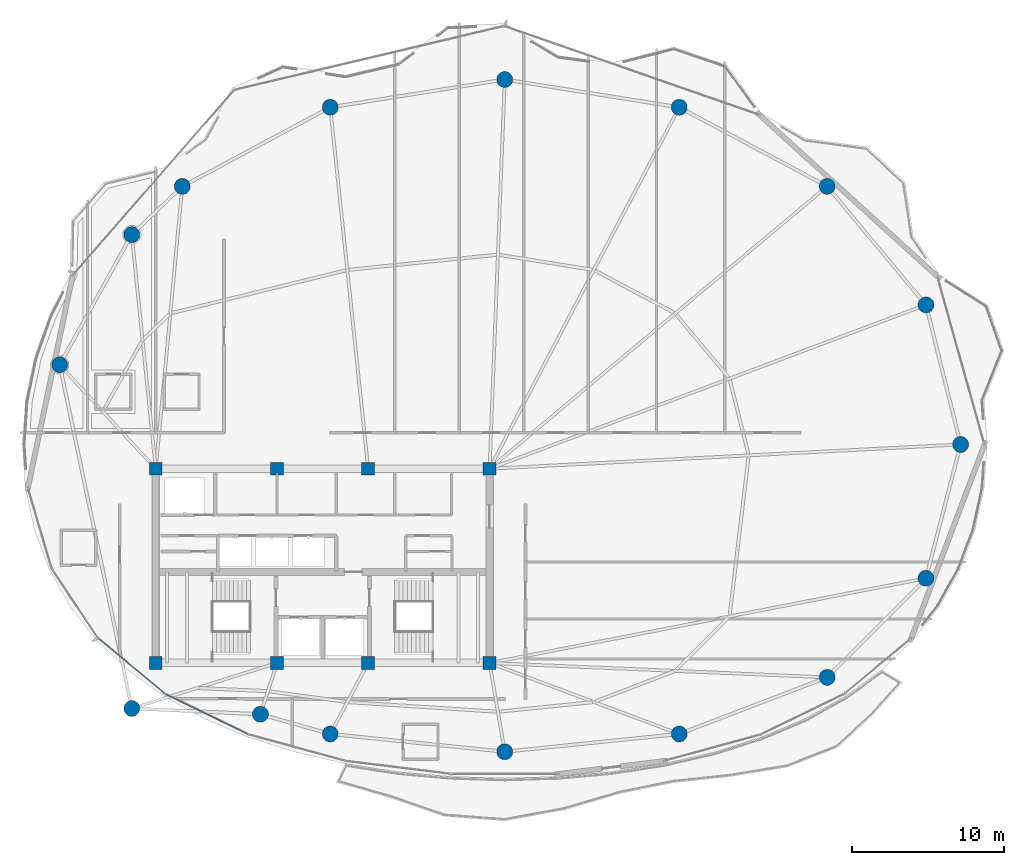
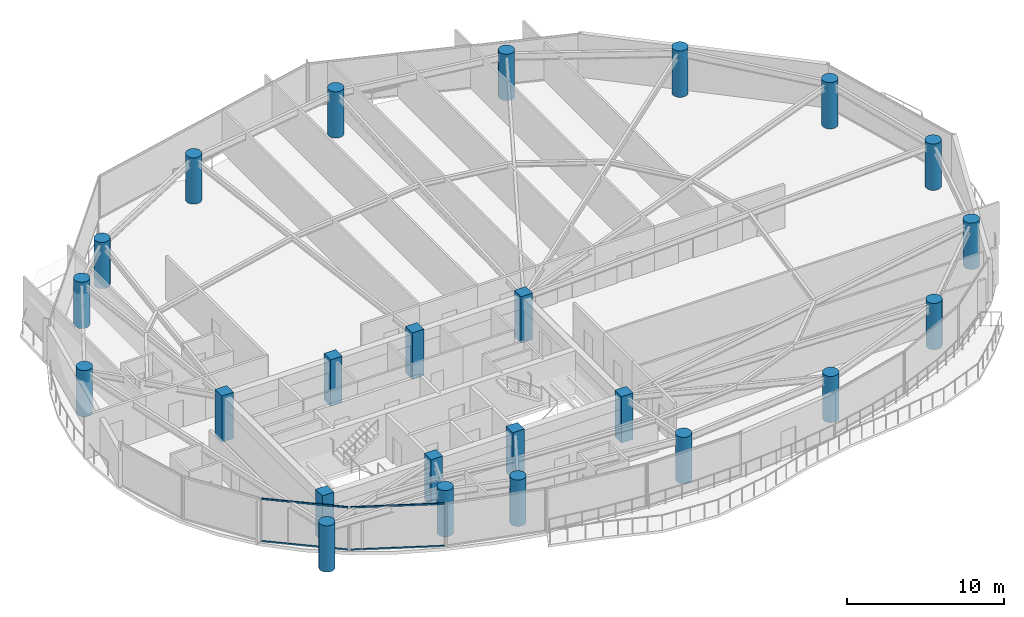
# One storey, part 1 of 29: 24 columns, 4 members, 2 elements without a shape of their own.
"""IFC4 building model written with IfcOpenShell, lengths in metres."""

import ifcopenshell
import ifcopenshell.guid

model = None  # the IFC model being written
_history = None  # IfcOwnerHistory: only IFC2X3 demands one
_inside = {}  # id of a spatial element -> (the spatial element, [elements in it])
_under = {}  # id of a project, library or spatial element -> (it, [spatial elements below it])
_declared = {}  # id of a project -> (the project, [libraries it declares])
_typed = {}  # id of a type object -> (the type object, [elements of that type])
_made_of = {}  # id of a material, layer set ... -> (it, [elements and type objects made of it])


def new_model(schema):
    """Start an empty IFC model of exactly this schema.

    Asked for "IFC4X3", IfcOpenShell would pick the latest addendum, in which some entities
    have other attributes; the version numbers below select the first issue.
    IFC2X3 requires an IfcOwnerHistory on every rooted entity: one is made here for all.
    """
    global model, _history
    if schema == "IFC4X3":
        model = ifcopenshell.file(schema_version=(4, 3, 0, 0))
    else:
        model = ifcopenshell.file(schema=schema)
    _inside.clear()
    _under.clear()
    _declared.clear()
    _typed.clear()
    _made_of.clear()
    _history = None
    if model.schema == "IFC2X3":
        org = make("IfcOrganization", Name="unknown")
        user = make(
            "IfcPersonAndOrganization",
            ThePerson=make("IfcPerson", FamilyName="unknown"),
            TheOrganization=org,
        )
        app = make(
            "IfcApplication",
            ApplicationDeveloper=org,
            Version="unknown",
            ApplicationFullName="unknown",
            ApplicationIdentifier="unknown",
        )
        _history = make(
            "IfcOwnerHistory",
            OwningUser=user,
            OwningApplication=app,
            ChangeAction="ADDED",
            CreationDate=0,
        )
    return model


def make(cls, **values):
    """One entity of the class cls with the attributes given. An attribute that is None is left unset."""
    return model.create_entity(
        cls, **{name: value for name, value in values.items() if value is not None}
    )


def rooted(cls, **values):
    """An entity with a GlobalId (a new one), such as an element, a storey or a relation."""
    return make(cls, GlobalId=ifcopenshell.guid.new(), OwnerHistory=_history, **values)


def si_unit(unit_type, name, prefix=None):
    """IfcSIUnit, for example si_unit("LENGTHUNIT", "METRE", prefix="MILLI")."""
    return make("IfcSIUnit", UnitType=unit_type, Prefix=prefix, Name=name)


def assignment(units):
    """IfcUnitAssignment: the units of a project."""
    return None if units is None else make("IfcUnitAssignment", Units=units)


def point(xyz):
    """IfcCartesianPoint."""
    return None if xyz is None else make("IfcCartesianPoint", Coordinates=xyz)


def direction(xyz):
    """IfcDirection."""
    return None if xyz is None else make("IfcDirection", DirectionRatios=xyz)


def frame(location, z_axis=None, x_axis=None):
    """IfcAxis2Placement3D, a coordinate frame: its origin and axes. An axis left out is left unset."""
    return make(
        "IfcAxis2Placement3D",
        Location=point(location),
        Axis=direction(z_axis),
        RefDirection=direction(x_axis),
    )


def frame_2d(location, x_axis=None):
    """IfcAxis2Placement2D, a coordinate frame in the plane: its origin and x axis."""
    return make(
        "IfcAxis2Placement2D", Location=point(location), RefDirection=direction(x_axis)
    )


def origin():
    """The frame at (0, 0, 0) with its axes left unset."""
    return frame((0.0, 0.0, 0.0))


def origin_2d():
    """The frame at (0, 0) in the plane with its x axis left unset."""
    return frame_2d((0.0, 0.0))


def place(relative_to, where):
    """IfcLocalPlacement: puts the frame where relative to a parent placement (None: the world)."""
    return make(
        "IfcLocalPlacement", PlacementRelTo=relative_to, RelativePlacement=where
    )


def context(
    kind, dimensions, precision=None, world=None, true_north=None, identifier=None
):
    """IfcGeometricRepresentationContext, for example the 3D "Model" context."""
    return make(
        "IfcGeometricRepresentationContext",
        ContextIdentifier=identifier,
        ContextType=kind,
        CoordinateSpaceDimension=dimensions,
        Precision=precision,
        WorldCoordinateSystem=world,
        TrueNorth=true_north,
    )


def subcontext(parent, identifier, kind, view, scale=None):
    """IfcGeometricRepresentationSubContext, for example "Body" below "Model"."""
    return make(
        "IfcGeometricRepresentationSubContext",
        ContextIdentifier=identifier,
        ContextType=kind,
        ParentContext=parent,
        TargetScale=scale,
        TargetView=view,
    )


def project(units=None, contexts=None):
    """IfcProject with its units and contexts."""
    return rooted(
        "IfcProject",
        Name="project",
        RepresentationContexts=contexts,
        UnitsInContext=assignment(units),
    )


def spatial(cls, under=None, at=None, **own):
    """A site, building, storey or space (cls), placed at a placement, below another one or the project."""
    s = rooted(cls, ObjectPlacement=at, **own)
    if under is not None:
        _under.setdefault(under.id(), (under, []))[1].append(s)
    return s


def profile(cls, at=None, kind="AREA", **sizes):
    """A parametric profile (cls). Its sizes go by their IFC names, for example OverallWidth=200.0."""
    return make(cls, ProfileType=kind, Position=at, **sizes)


def rectangle(**sizes):
    """IfcRectangleProfileDef."""
    return profile("IfcRectangleProfileDef", **sizes)


def hollow_rectangle(**sizes):
    """IfcRectangleHollowProfileDef."""
    return profile("IfcRectangleHollowProfileDef", **sizes)


def circle(**sizes):
    """IfcCircleProfileDef."""
    return profile("IfcCircleProfileDef", **sizes)


def extrude(swept, where, along, depth):
    """IfcExtrudedAreaSolid: the profile swept, set in the frame where, extruded along a direction by depth."""
    return make(
        "IfcExtrudedAreaSolid",
        SweptArea=swept,
        Position=where,
        ExtrudedDirection=direction(along),
        Depth=depth,
    )


def shape(context_of_items, identifier, shape_type, items):
    """IfcShapeRepresentation: the items that make up one representation, for example the "Body"."""
    return make(
        "IfcShapeRepresentation",
        ContextOfItems=context_of_items,
        RepresentationIdentifier=identifier,
        RepresentationType=shape_type,
        Items=items,
    )


def material(Name=None, Category=None):
    """IfcMaterial."""
    return make("IfcMaterial", Name=Name, Category=Category)


def layer(
    of_material, thickness, ventilated=None, Name=None, Category=None, Priority=None
):
    """IfcMaterialLayer: one layer of a wall or slab, of a material (None: an air gap)."""
    return make(
        "IfcMaterialLayer",
        Material=of_material,
        LayerThickness=thickness,
        IsVentilated=ventilated,
        Name=Name,
        Category=Category,
        Priority=Priority,
    )


def layer_set(layers, Name=None):
    """IfcMaterialLayerSet."""
    return make("IfcMaterialLayerSet", MaterialLayers=layers, LayerSetName=Name)


def material_profile(
    of_material, cross_section, Name=None, Category=None, Priority=None
):
    """IfcMaterialProfile: a cross section and its material."""
    return make(
        "IfcMaterialProfile",
        Name=Name,
        Material=of_material,
        Profile=cross_section,
        Priority=Priority,
        Category=Category,
    )


def profile_set(profiles, Name=None, composite=None):
    """IfcMaterialProfileSet."""
    return make(
        "IfcMaterialProfileSet",
        Name=Name,
        MaterialProfiles=profiles,
        CompositeProfile=composite,
    )


def made_of(thing, what):
    """Note that an element or type object is made of a material, layer set ...; save() writes the relation."""
    if what is not None:
        _made_of.setdefault(what.id(), (what, []))[1].append(thing)
    return thing


def type_object(cls, material=None, **own):
    """A type object (cls), such as IfcWallType, which elements share."""
    return made_of(rooted(cls, **own), material)


def element(
    cls,
    number,
    at=None,
    inside=None,
    cuts=None,
    type_object=None,
    material=None,
    context=None,
    identifier="Body",
    shape_type=None,
    held_by="IfcProductDefinitionShape",
    body=None,
    shapes=None,
    **own,
):
    """One element of the class cls, such as IfcWall. Its Tag is "e" and its number.

    at: its placement. inside: the storey or other place that contains it. cuts: it is an
    opening in that element (IfcRelVoidsElement). A single representation is given by context,
    identifier, shape_type and body (its items); several are given by shapes. held_by: the class
    of the entity that holds the representations. save() writes the other relations.
    """
    e = rooted(cls, Tag="e%d" % number, ObjectPlacement=at, **own)
    if body is not None:
        shapes = [shape(context, identifier, shape_type, body)]
    if shapes is not None:
        e.Representation = make(held_by, Representations=shapes)
    if inside is not None:
        _inside.setdefault(inside.id(), (inside, []))[1].append(e)
    if cuts is not None:
        rooted(
            "IfcRelVoidsElement", RelatingBuildingElement=cuts, RelatedOpeningElement=e
        )
    if type_object is not None:
        _typed.setdefault(type_object.id(), (type_object, []))[1].append(e)
    return made_of(e, material)


def aggregate(whole, parts):
    """IfcRelAggregates: a whole, such as a stair, and the parts it consists of."""
    return rooted("IfcRelAggregates", RelatingObject=whole, RelatedObjects=parts)


def save(model, path):
    """Write the relations noted so far, then the file.

    IfcRelAggregates (storeys below a building ...), IfcRelContainedInSpatialStructure (elements
    in a storey), IfcRelDefinesByType, IfcRelAssociatesMaterial and IfcRelDeclares: one each for
    every whole, place, type object, material and project.
    """
    for whole, parts in _under.values():
        aggregate(whole, parts)
    for where, things in _inside.values():
        rooted(
            "IfcRelContainedInSpatialStructure",
            RelatedElements=things,
            RelatingStructure=where,
        )
    for kind, things in _typed.values():
        rooted("IfcRelDefinesByType", RelatedObjects=things, RelatingType=kind)
    for what, things in _made_of.values():
        rooted("IfcRelAssociatesMaterial", RelatedObjects=things, RelatingMaterial=what)
    for by, libraries in _declared.values():
        rooted("IfcRelDeclares", RelatingContext=by, RelatedDefinitions=libraries)
    model.write(path)


model = new_model("IFC4")

# Units and contexts
model_context = context("Model", 3, precision=1e-05, world=origin(), true_north=direction((0.0, 1.0)))
body_context = subcontext(model_context, "Body", "Model", "MODEL_VIEW")
ifc_project = project(units=[si_unit("LENGTHUNIT", "METRE"), si_unit("AREAUNIT", "SQUARE_METRE"), si_unit("VOLUMEUNIT", "CUBIC_METRE"), si_unit("PLANEANGLEUNIT", "RADIAN"), si_unit("MASSUNIT", "GRAM", prefix="KILO")], contexts=[model_context])

# Site, building, storey
site_placement = place(None, origin())
site = spatial("IfcSite", under=ifc_project, at=site_placement, CompositionType="ELEMENT")
building_placement = place(site_placement, origin())
building = spatial("IfcBuilding", under=site, at=building_placement, Name="Kazevale Care Tower and Concert Hall", CompositionType="ELEMENT")
storey_placement = place(building_placement, frame((0.0, 0.0, 224.39990234375)))
storey = spatial("IfcBuildingStorey", under=building, at=storey_placement, Name="L59", CompositionType="ELEMENT", Elevation=224.39990234375)

# Columns
ifc_material_1 = material(Name="Concrete C50", Category="concrete")
ifc_material_profile_1 = material_profile(ifc_material_1, rectangle(XDim=0.85009765625, YDim=0.85009765625, at=origin_2d()), Name="RC-SQ850")
ifc_profile_set_1 = profile_set([ifc_material_profile_1], Name="Concrete C50")
column_type_1 = type_object("IfcColumnType", Name="Core Column SQ850 C50", PredefinedType="COLUMN", material=ifc_profile_set_1)
for number, where, z_axis, x_axis, name in (
    (1, (22.0, 23.60009765625, 0.0), (0.0, 0.0, 1.0), (1.0, 0.0, 0.0), "col:L59:CC-01"),
    (2, (30.0, 23.60009765625, 0.0), (0.0, 0.0, 1.0), (1.0, 0.0, 0.0), "col:L59:CC-02"),
    (3, (36.0, 23.60009765625, 0.0), (0.0, 0.0, 1.0), (1.0, 0.0, 0.0), "col:L59:CC-03"),
    (4, (44.0, 23.60009765625, 0.0), (0.0, 0.0, 1.0), (1.0, 0.0, 0.0), "col:L59:CC-04"),
    (5, (44.0, 36.39990234375, 0.0), (0.0, 0.0, 1.0), (1.0, 0.0, 0.0), "col:L59:CC-05"),
    (6, (36.0, 36.39990234375, 0.0), (0.0, 0.0, 1.0), (1.0, 0.0, 0.0), "col:L59:CC-06"),
    (7, (30.0, 36.39990234375, 0.0), (0.0, 0.0, 1.0), (1.0, 0.0, 0.0), "col:L59:CC-07"),
    (8, (22.0, 36.39990234375, 0.0), (0.0, 0.0, 1.0), (1.0, 0.0, 0.0), "col:L59:CC-08"),
):
    element("IfcColumn", number, at=place(storey_placement, frame(where, z_axis=z_axis, x_axis=x_axis)), inside=storey, type_object=column_type_1, Name=name, PredefinedType="COLUMN", context=body_context, shape_type="SweptSolid", body=[
        extrude(rectangle(XDim=0.85009765625, YDim=0.85009765625, at=origin_2d()), origin(), (0.0, 0.0, 1.0), 3.60009765625),
    ])
ifc_material_profile_2 = material_profile(ifc_material_1, circle(Radius=0.52490234375, at=origin_2d()), Name="RC-CIR1050")
ifc_profile_set_2 = profile_set([ifc_material_profile_2], Name="Concrete C50")
column_type_2 = type_object("IfcColumnType", Name="Perimeter Column CIR1050 C50", PredefinedType="COLUMN", material=ifc_profile_set_2)
for number, where, z_axis, x_axis, name in (
    (9, (75.050048828125, 38.0, 0.0), (0.0, 0.0, 1.0), (1.0, 0.0, 0.0), "col:L59:PC-01"),
    (10, (72.760009765625, 47.199951171875, 0.0), (0.0, 0.0, 1.0), (1.0, 0.0, 0.0), "col:L59:PC-02"),
    (11, (66.25, 55.010009765625, 0.0), (0.0, 0.0, 1.0), (1.0, 0.0, 0.0), "col:L59:PC-03"),
    (12, (56.5, 60.219970703125, 0.0), (0.0, 0.0, 1.0), (1.0, 0.0, 0.0), "col:L59:PC-04"),
    (13, (45.0, 62.050048828125, 0.0), (0.0, 0.0, 1.0), (1.0, 0.0, 0.0), "col:L59:PC-05"),
    (14, (33.5, 60.219970703125, 0.0), (0.0, 0.0, 1.0), (1.0, 0.0, 0.0), "col:L59:PC-06"),
    (15, (23.75, 55.010009765625, 0.0), (0.0, 0.0, 1.0), (1.0, 0.0, 0.0), "col:L59:PC-07"),
    (16, (20.419921875, 51.830078125, 0.0), (0.0, 0.0, 1.0), (1.0, 0.0, 0.0), "col:L59:PC-08"),
    (17, (15.669921875, 43.25, 0.0), (0.0, 0.0, 1.0), (1.0, 0.0, 0.0), "col:L59:PC-09"),
    (18, (20.419921875, 20.60009765625, 0.0), (0.0, 0.0, 1.0), (1.0, 0.0, 0.0), "col:L59:PC-10"),
    (19, (28.89990234375, 20.219970703125, 0.0), (0.0, 0.0, 1.0), (1.0, 0.0, 0.0), "col:L59:PC-11"),
    (20, (33.5, 18.919921875, 0.0), (0.0, 0.0, 1.0), (1.0, 0.0, 0.0), "col:L59:PC-12"),
    (21, (45.0, 17.75, 0.0), (0.0, 0.0, 1.0), (1.0, 0.0, 0.0), "col:L59:PC-13"),
    (22, (56.5, 18.919921875, 0.0), (0.0, 0.0, 1.0), (1.0, 0.0, 0.0), "col:L59:PC-14"),
    (23, (66.25, 22.64990234375, 0.0), (0.0, 0.0, 1.0), (1.0, 0.0, 0.0), "col:L59:PC-15"),
    (24, (72.760009765625, 29.179931640625, 0.0), (0.0, 0.0, 1.0), (1.0, 0.0, 0.0), "col:L59:PC-16"),
):
    element("IfcColumn", number, at=place(storey_placement, frame(where, z_axis=z_axis, x_axis=x_axis)), inside=storey, type_object=column_type_2, Name=name, PredefinedType="COLUMN", context=body_context, shape_type="SweptSolid", body=[
        extrude(circle(Radius=0.52490234375, at=origin_2d()), origin(), (0.0, 0.0, 1.0), 3.60009765625),
    ])

# Curtain wall, members
ifc_material_2 = material(Name="Aluminium 6063-T6 and Low-E Glass", Category="aluminium")
ifc_layer = layer(ifc_material_2, 0.179931640625)
ifc_layer_set = layer_set([ifc_layer], Name="Aluminium 6063-T6 and Low-E Glass")
curtain_wall_type = type_object("IfcCurtainWallType", Name="Sheltered Concave Balcony Curtain Wall CW-5", PredefinedType="NOTDEFINED", material=ifc_layer_set)
curtain_wall_1_placement = place(storey_placement, origin())
curtain_wall_1 = element("IfcCurtainWall", 25, at=curtain_wall_1_placement, inside=storey, type_object=curtain_wall_type, Name="cw:L59:f09", PredefinedType="NOTDEFINED")
ifc_material_3 = material(Name="Aluminium 6063-T6", Category="aluminium")
ifc_material_profile_3 = material_profile(ifc_material_3, hollow_rectangle(XDim=0.074951171875, YDim=0.1201171875, WallThickness=0.00390625, at=origin_2d()), Name="ALU75x120x4")
ifc_profile_set_3 = profile_set([ifc_material_profile_3], Name="Aluminium 6063-T6")
member_type = type_object("IfcMemberType", Name="CW-5 Transom ALU75x120x4", PredefinedType="USERDEFINED", material=ifc_profile_set_3)
member_1_placement = place(storey_placement, frame((28.07666015625, 18.90576171875, 0.03759765625), z_axis=(-0.899342308406, 0.437245254189, 0.0), x_axis=(-0.437245254189, -0.899342308406, 0.0)))
member_1 = element("IfcMember", 26, at=member_1_placement, type_object=member_type, Name="CW-5 transom 1.1", ObjectType="TRANSOM", PredefinedType="USERDEFINED", context=body_context, shape_type="SweptSolid", body=[
    extrude(hollow_rectangle(XDim=0.074951171875, YDim=0.1201171875, WallThickness=0.00390625, at=origin_2d()), origin(), (0.0, 0.0, 1.0), 6.00244140625),
])
member_2_placement = place(storey_placement, frame((28.07666015625, 18.90576171875, 3.322509765625), z_axis=(-0.899342308406, 0.437245254189, 0.0), x_axis=(-0.437245254189, -0.899342308406, 0.0)))
member_2 = element("IfcMember", 27, at=member_2_placement, type_object=member_type, Name="CW-5 transom 1.2", ObjectType="TRANSOM", PredefinedType="USERDEFINED", context=body_context, shape_type="SweptSolid", body=[
    extrude(hollow_rectangle(XDim=0.074951171875, YDim=0.1201171875, WallThickness=0.00390625, at=origin_2d()), origin(), (0.0, 0.0, 1.0), 6.00244140625),
])
aggregate(curtain_wall_1, [member_1, member_2])

curtain_wall_2_placement = place(storey_placement, origin())
curtain_wall_2 = element("IfcCurtainWall", 28, at=curtain_wall_2_placement, inside=storey, type_object=curtain_wall_type, Name="cw:L59:f10", PredefinedType="NOTDEFINED")
member_3_placement = place(storey_placement, frame((22.553466796875, 21.611083984375, 0.03759765625), z_axis=(-0.768432829708, 0.639930454211, 0.0), x_axis=(-0.639930454211, -0.768432829708, 0.0)))
member_3 = element("IfcMember", 29, at=member_3_placement, type_object=member_type, Name="CW-5 transom 1.1", ObjectType="TRANSOM", PredefinedType="USERDEFINED", context=body_context, shape_type="SweptSolid", body=[
    extrude(hollow_rectangle(XDim=0.074951171875, YDim=0.1201171875, WallThickness=0.00390625, at=origin_2d()), origin(), (0.0, 0.0, 1.0), 5.580078125),
])
member_4_placement = place(storey_placement, frame((22.553466796875, 21.611083984375, 3.322509765625), z_axis=(-0.768432829708, 0.639930454211, 0.0), x_axis=(-0.639930454211, -0.768432829708, 0.0)))
member_4 = element("IfcMember", 30, at=member_4_placement, type_object=member_type, Name="CW-5 transom 1.2", ObjectType="TRANSOM", PredefinedType="USERDEFINED", context=body_context, shape_type="SweptSolid", body=[
    extrude(hollow_rectangle(XDim=0.074951171875, YDim=0.1201171875, WallThickness=0.00390625, at=origin_2d()), origin(), (0.0, 0.0, 1.0), 5.580078125),
])
aggregate(curtain_wall_2, [member_3, member_4])

save(model, "model.ifc")
